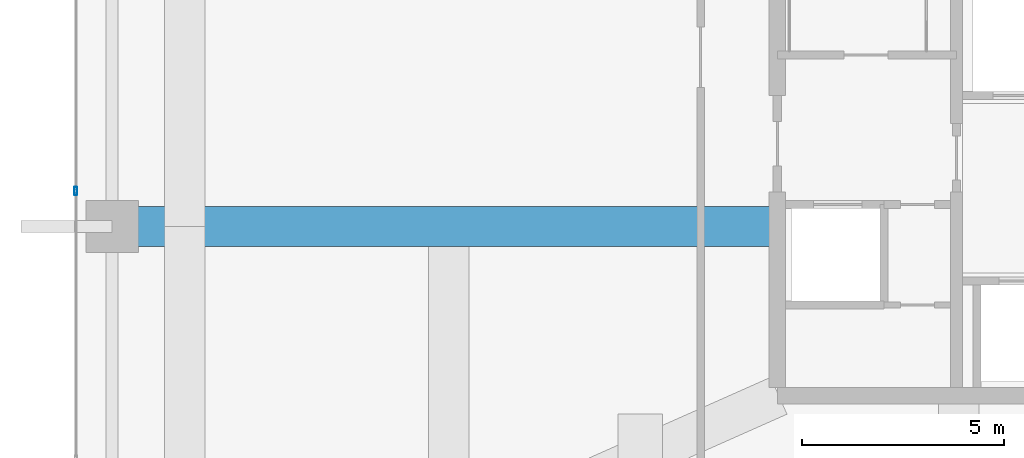
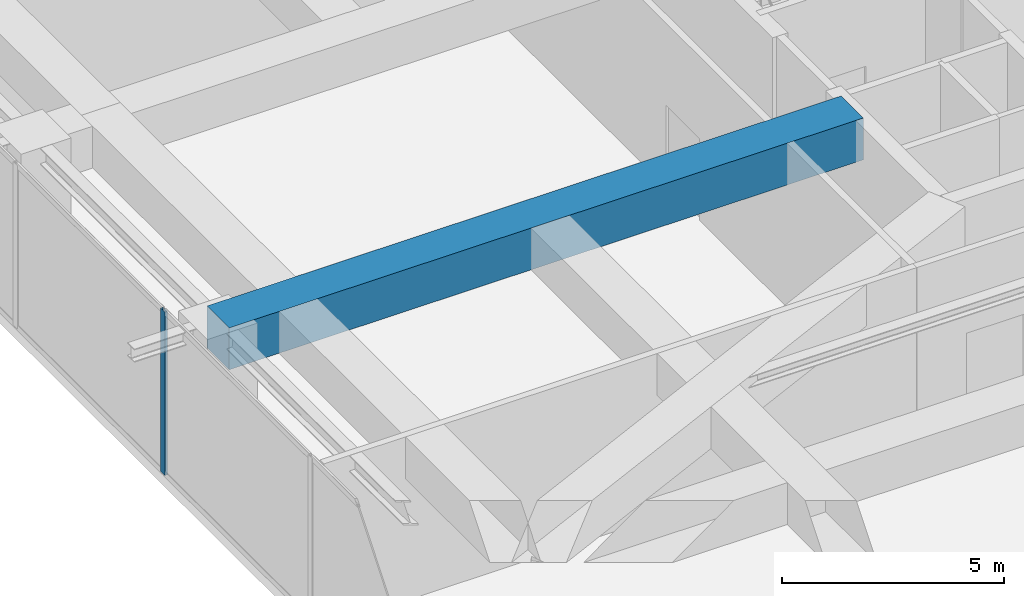
# One storey, part 8 of 35: 1 beam, 1 member, 1 element without a shape of its own.
"""IFC4 building model written with IfcOpenShell, lengths in metres."""

from ifc_helpers import new_model, si_unit, direction, frame, origin, origin_2d, place, context, subcontext, project, spatial, rectangle, hollow_rectangle, extrude, source, transform, mapped, material, layer, layer_set, material_profile, profile_set, type_object, element, aggregate, save


model = new_model("IFC4")

# Units and contexts
model_context = context("Model", 3, precision=1e-05, world=origin(), true_north=direction((0.0, 1.0)))
body_context = subcontext(model_context, "Body", "Model", "MODEL_VIEW")
ifc_project = project(units=[si_unit("LENGTHUNIT", "METRE"), si_unit("AREAUNIT", "SQUARE_METRE"), si_unit("VOLUMEUNIT", "CUBIC_METRE"), si_unit("PLANEANGLEUNIT", "RADIAN"), si_unit("MASSUNIT", "GRAM", prefix="KILO")], contexts=[model_context])

# Site, building, storey
site_placement = place(None, origin())
site = spatial("IfcSite", under=ifc_project, at=site_placement, CompositionType="ELEMENT")
building_placement = place(site_placement, origin())
building = spatial("IfcBuilding", under=site, at=building_placement, Name="Serunith Strait Residences", CompositionType="ELEMENT")
storey_placement = place(building_placement, frame((0.0, 0.0, 115.199951171875)))
storey = spatial("IfcBuildingStorey", under=building, at=storey_placement, Name="L28", CompositionType="ELEMENT", Elevation=115.199951171875)

# Beam
ifc_material_1 = material(Name="Concrete C80/95", Category="concrete")
ifc_material_profile_1 = material_profile(ifc_material_1, rectangle(XDim=1.0, YDim=1.14990234375, at=origin_2d()), Name="RC 1000x1150")
ifc_profile_set_1 = profile_set([ifc_material_profile_1], Name="Concrete C80/95")
beam_type = type_object("IfcBeamType", Name="BM-XFER-1000x1150", PredefinedType="BEAM", material=ifc_profile_set_1)
shared_shape_1 = source(origin(), body_context, "Body", "SweptSolid", [
    extrude(rectangle(XDim=1.0, YDim=1.14990234375, at=origin_2d()), origin(), (0.0, 0.0, 1.0), 16.5),
])
beam_placement = place(storey_placement, frame((23.39990234375, 21.0, 3.93505859375), z_axis=(-1.0, 0.0, 0.0), x_axis=(0.0, -1.0, 0.0)))
element("IfcBeam", 1, at=beam_placement, inside=storey, type_object=beam_type, Name="L28 Primary Floor Girder TC-W2", PredefinedType="BEAM", context=body_context, shape_type="MappedRepresentation", body=[
    mapped(shared_shape_1, transform((0.0, 0.0, 0.0), scale=1.0)),
])

# Curtain wall, member
ifc_material_2 = material(Name="Pale-Champagne Anodised Aluminium", Category="aluminium")
ifc_layer = layer(ifc_material_2, 0.199951171875, Name="Pale-Champagne Anodised Aluminium")
ifc_layer_set = layer_set([ifc_layer], Name="Pale-Champagne Anodised Aluminium")
curtain_wall_type = type_object("IfcCurtainWallType", Name="CW-SYS1", PredefinedType="NOTDEFINED", material=ifc_layer_set)
curtain_wall_placement = place(storey_placement, origin())
curtain_wall = element("IfcCurtainWall", 2, at=curtain_wall_placement, inside=storey, type_object=curtain_wall_type, Name="L28 W Unitised Fritted Curtain Wall", PredefinedType="NOTDEFINED")
ifc_material_profile_2 = material_profile(ifc_material_2, hollow_rectangle(XDim=0.070068359375, YDim=0.199951171875, WallThickness=0.00390625, InnerFilletRadius=0.006103515625, OuterFilletRadius=0.010009765625, at=origin_2d()), Name="ALU 200x70x4")
ifc_profile_set_2 = profile_set([ifc_material_profile_2], Name="Pale-Champagne Anodised Aluminium")
member_type = type_object("IfcMemberType", Name="CW-SYS1-MULL", PredefinedType="MULLION", material=ifc_profile_set_2)
shared_shape_2 = source(origin(), body_context, "Body", "SweptSolid", [
    extrude(hollow_rectangle(XDim=0.070068359375, YDim=0.199951171875, WallThickness=0.00390625, InnerFilletRadius=0.006103515625, OuterFilletRadius=0.010009765625, at=origin_2d()), origin(), (0.0, 0.0, 1.0), 4.4951171875),
])
member_placement = place(storey_placement, frame((6.0, 21.8798828125, 0.0), z_axis=(0.0, 0.0, 1.0), x_axis=(1.0, 0.0, 0.0)))
member = element("IfcMember", 3, at=member_placement, type_object=member_type, Name="CW-1 mullion 4", PredefinedType="MULLION", context=body_context, shape_type="MappedRepresentation", body=[
    mapped(shared_shape_2, transform((0.0, 0.0, 0.0), scale=1.0)),
])
aggregate(curtain_wall, [member])

save(model, "model.ifc")
